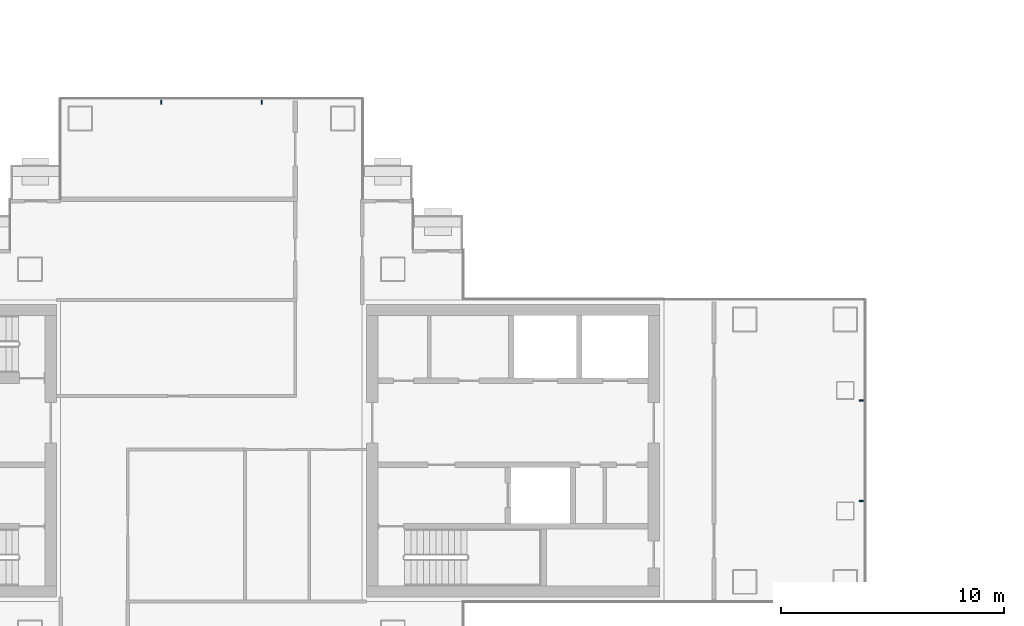
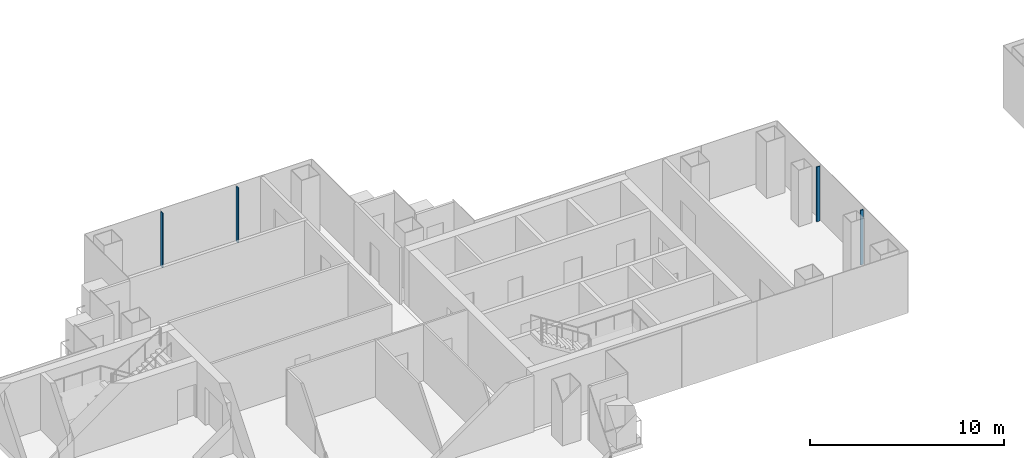
# One storey, part 4 of 16: 4 members, 2 elements without a shape of their own.
"""IFC4 building model written with IfcOpenShell, lengths in metres."""

from ifc_helpers import new_model, si_unit, direction, frame, origin, origin_2d, place, context, subcontext, project, spatial, rectangle, extrude, material, layer, layer_set, material_profile, profile_set, type_object, element, aggregate, save


model = new_model("IFC4")

# Units and contexts
model_context = context("Model", 3, precision=1e-05, world=origin(), true_north=direction((0.0, 1.0)))
body_context = subcontext(model_context, "Body", "Model", "MODEL_VIEW")
ifc_project = project(units=[si_unit("LENGTHUNIT", "METRE"), si_unit("AREAUNIT", "SQUARE_METRE"), si_unit("VOLUMEUNIT", "CUBIC_METRE"), si_unit("PLANEANGLEUNIT", "RADIAN"), si_unit("MASSUNIT", "GRAM", prefix="KILO")], contexts=[model_context])

# Site, building, storey
site_placement = place(None, origin())
site = spatial("IfcSite", under=ifc_project, at=site_placement, CompositionType="ELEMENT")
building_placement = place(site_placement, origin())
building = spatial("IfcBuilding", under=site, at=building_placement, Name="Shamsa Quay Exchange Towers", CompositionType="ELEMENT")
storey_placement = place(building_placement, frame((0.0, 0.0, 142.800048828125)))
storey = spatial("IfcBuildingStorey", under=building, at=storey_placement, Name="L33", CompositionType="ELEMENT", Elevation=142.800048828125)

# Curtain wall, members
ifc_material = material(Name="Aluminium EN AW-6063 T6, black anodised", Category="aluminium")
ifc_layer = layer(ifc_material, 0.280029296875)
ifc_layer_set = layer_set([ifc_layer], Name="CW-1 UNITISED VISION GLASS")
curtain_wall_type = type_object("IfcCurtainWallType", Name="CW-1 UNITISED VISION GLASS", PredefinedType="NOTDEFINED", material=ifc_layer_set)
curtain_wall_1_placement = place(storey_placement, origin())
curtain_wall_1 = element("IfcCurtainWall", 1, at=curtain_wall_1_placement, inside=storey, type_object=curtain_wall_type, Name="CW1 T1-END-U+ L33", PredefinedType="NOTDEFINED")
ifc_material_profile = material_profile(ifc_material, rectangle(XDim=0.179931640625, YDim=0.06005859375, at=origin_2d()), Name="MU60x180")
ifc_profile_set = profile_set([ifc_material_profile], Name="Aluminium EN AW-6063 T6, black anodised")
member_type = type_object("IfcMemberType", Name="CW1 MULLION 60x180", PredefinedType="MULLION", material=ifc_profile_set)
member_1_placement = place(storey_placement, frame((-4.64990234375, -2.25, 0.0), z_axis=(0.0, 0.0, 1.0), x_axis=(-1.0, 0.0, 0.0)))
member_1 = element("IfcMember", 2, at=member_1_placement, type_object=member_type, Name="CW1 mullion", PredefinedType="MULLION", context=body_context, shape_type="SweptSolid", body=[
    extrude(rectangle(XDim=0.179931640625, YDim=0.06005859375, at=origin_2d()), origin(), (0.0, 0.0, 1.0), 3.449951171875),
])
member_2_placement = place(storey_placement, frame((-4.64990234375, 2.25, 0.0), z_axis=(0.0, 0.0, 1.0), x_axis=(-1.0, 0.0, 0.0)))
member_2 = element("IfcMember", 3, at=member_2_placement, type_object=member_type, Name="CW1 mullion", PredefinedType="MULLION", context=body_context, shape_type="SweptSolid", body=[
    extrude(rectangle(XDim=0.179931640625, YDim=0.06005859375, at=origin_2d()), origin(), (0.0, 0.0, 1.0), 3.449951171875),
])
aggregate(curtain_wall_1, [member_1, member_2])

curtain_wall_2_placement = place(storey_placement, origin())
curtain_wall_2 = element("IfcCurtainWall", 4, at=curtain_wall_2_placement, inside=storey, type_object=curtain_wall_type, Name="CW1 T1-END-V+ L33", PredefinedType="NOTDEFINED")
member_3_placement = place(storey_placement, frame((-31.5, 15.60009765625, 0.0), z_axis=(0.0, 0.0, 1.0), x_axis=(0.0, -1.0, 0.0)))
member_3 = element("IfcMember", 5, at=member_3_placement, type_object=member_type, Name="CW1 mullion", PredefinedType="MULLION", context=body_context, shape_type="SweptSolid", body=[
    extrude(rectangle(XDim=0.179931640625, YDim=0.06005859375, at=origin_2d()), origin(), (0.0, 0.0, 1.0), 3.449951171875),
])
member_4_placement = place(storey_placement, frame((-36.0, 15.60009765625, 0.0), z_axis=(0.0, 0.0, 1.0), x_axis=(0.0, -1.0, 0.0)))
member_4 = element("IfcMember", 6, at=member_4_placement, type_object=member_type, Name="CW1 mullion", PredefinedType="MULLION", context=body_context, shape_type="SweptSolid", body=[
    extrude(rectangle(XDim=0.179931640625, YDim=0.06005859375, at=origin_2d()), origin(), (0.0, 0.0, 1.0), 3.449951171875),
])
aggregate(curtain_wall_2, [member_3, member_4])

save(model, "model.ifc")
